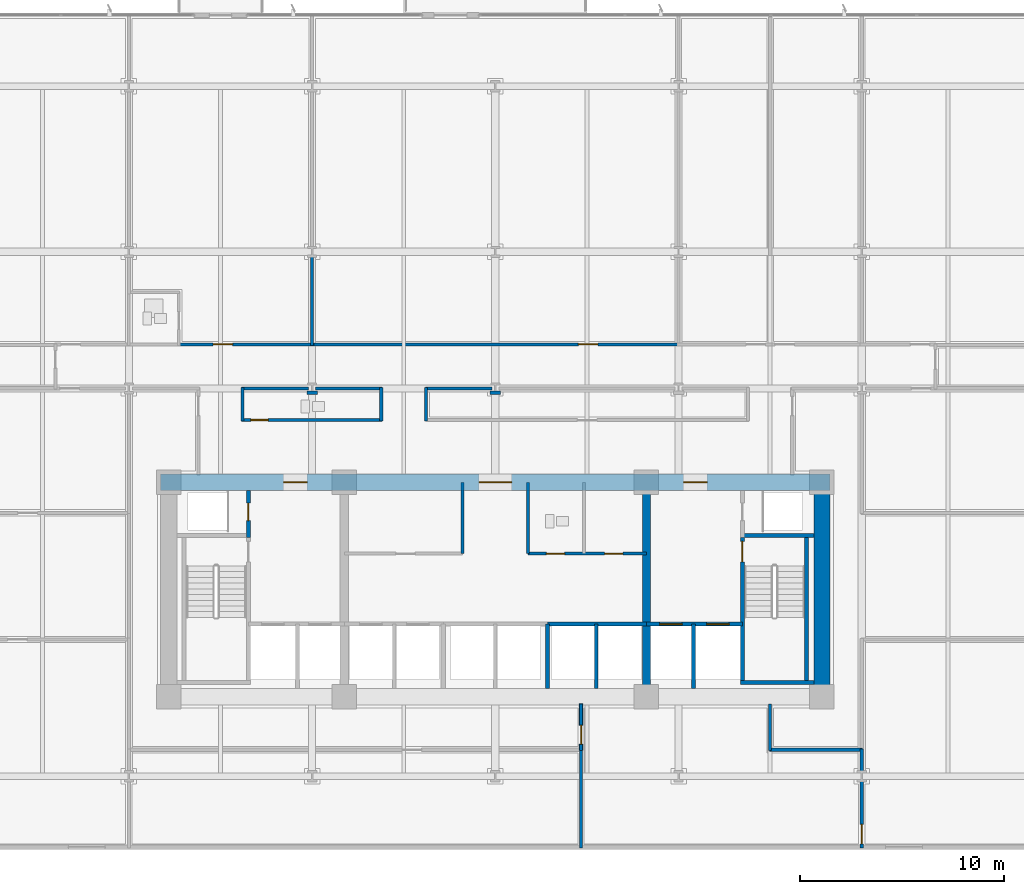
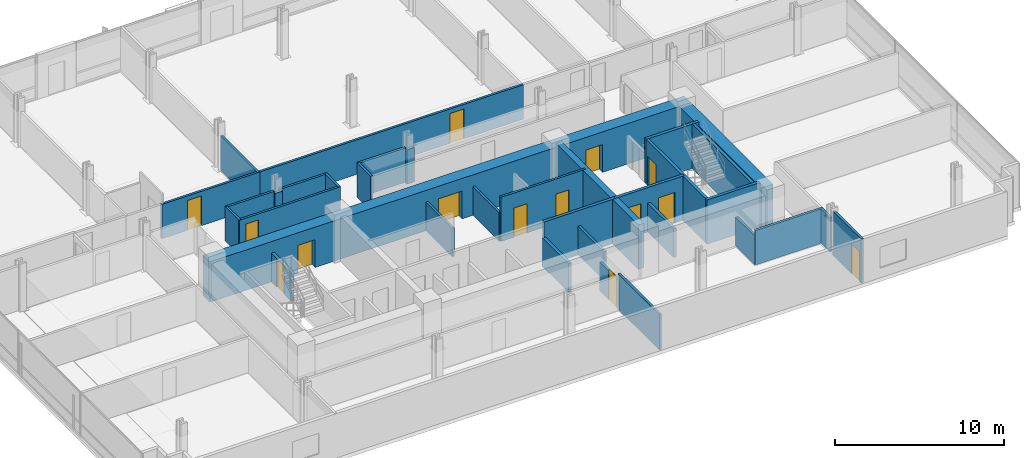
# One storey, part 14 of 21: 34 walls, 14 doors, 14 openings.
"""IFC4 building model written with IfcOpenShell, lengths in metres."""

from ifc_helpers import new_model, si_unit, direction, frame, frame_2d, origin, place, context, subcontext, project, spatial, rectangle, extrude, material, layer, layer_set, type_object, element, fill, save


model = new_model("IFC4")

# Units and contexts
model_context = context("Model", 3, precision=1e-05, world=origin(), true_north=direction((0.0, 1.0)))
body_context = subcontext(model_context, "Body", "Model", "MODEL_VIEW")
ifc_project = project(units=[si_unit("LENGTHUNIT", "METRE"), si_unit("AREAUNIT", "SQUARE_METRE"), si_unit("VOLUMEUNIT", "CUBIC_METRE"), si_unit("PLANEANGLEUNIT", "RADIAN"), si_unit("MASSUNIT", "GRAM", prefix="KILO")], contexts=[model_context])

# Site, building, storey
site_placement = place(None, origin())
site = spatial("IfcSite", under=ifc_project, at=site_placement, CompositionType="ELEMENT")
building_placement = place(site_placement, origin())
building = spatial("IfcBuilding", under=site, at=building_placement, Name="Solmavex Isthmus Hotel", CompositionType="ELEMENT")
storey_placement = place(building_placement, frame((0.0, 0.0, 54.0)))
storey = spatial("IfcBuildingStorey", under=building, at=storey_placement, Name="L14", CompositionType="ELEMENT", Elevation=54.0)

# Wall
ifc_material_1 = material(Name="Gypsum plasterboard lining", Category="gypsum")
ifc_layer_1 = layer(ifc_material_1, 0.159912109375)
ifc_layer_set_1 = layer_set([ifc_layer_1], Name="Gypsum plasterboard lining")
wall_type_1 = type_object("IfcWallType", Name="IW-COMP-160", PredefinedType="PARTITIONING", material=ifc_layer_set_1)
wall_1_placement = place(storey_placement, frame((-8.97607421875, 8.613037109375, 0.0), z_axis=(0.0, 0.0, 1.0), x_axis=(0.0, -1.0, 0.0)))
element("IfcWall", 1, at=wall_1_placement, inside=storey, type_object=wall_type_1, Name="Interior Partition Wall W-L14-P037", PredefinedType="PARTITIONING", context=body_context, shape_type="SweptSolid", body=[
    extrude(rectangle(XDim=4.403076171875, YDim=0.159912109375, at=frame_2d((2.20166015625, 0.0))), origin(), (0.0, 0.0, 1.0), 2.4794921875),
])

# Wall, opening, door
wall_2_placement = place(storey_placement, frame((4.199951171875, -13.360107421875, 0.0), z_axis=(0.0, 0.0, 1.0), x_axis=(0.0, -1.0, 0.0)))
wall_2 = element("IfcWall", 2, at=wall_2_placement, inside=storey, type_object=wall_type_1, Name="Interior Partition Wall W-L14-P058", PredefinedType="PARTITIONING", context=body_context, shape_type="SweptSolid", body=[
    extrude(rectangle(XDim=2.27978515625, YDim=0.159912109375, at=frame_2d((1.139892578125, 0.0))), origin(), (0.0, 0.0, 1.0), 2.074951171875),
])
opening_1_placement = place(wall_2_placement, frame((1.03466796875, 0.0, 0.0)))
opening_1 = element("IfcOpeningElement", 3, at=opening_1_placement, cuts=wall_2, Name="Opening ID-C095", PredefinedType="OPENING", context=body_context, shape_type="SweptSolid", body=[
    extrude(rectangle(XDim=0.949951171875, YDim=2.14990234375, at=frame_2d((0.47509765625, 1.074951171875))), frame((0.0, 0.08984375, 0.0), z_axis=(0.0, -1.0, 0.0), x_axis=(1.0, 0.0, 0.0)), (0.0, 0.0, 1.0), 0.179931640625),
])
ifc_material_2 = material(Name="Hardwood timber", Category="wood")
door_type_1 = type_object("IfcDoorType", Name="IDR-FD60-0950", OperationType="NOTDEFINED", PredefinedType="DOOR", material=ifc_material_2)
door_1_placement = place(opening_1_placement, frame((0.949951171875, 0.0, 0.0), z_axis=(0.0, 0.0, 1.0), x_axis=(-1.0, 0.0, 0.0)))
door_1 = element("IfcDoor", 4, at=door_1_placement, inside=storey, type_object=door_type_1, Name="Corporate Briefing Office Door L14-16", OperationType="SINGLE_SWING_RIGHT", OverallHeight=2.14990234375, OverallWidth=0.949951171875, PredefinedType="DOOR", context=body_context, shape_type="SweptSolid", body=[
    extrude(rectangle(XDim=0.949951171875, YDim=2.14990234375, at=frame_2d((0.47509765625, 1.074951171875))), frame((0.0, 0.02490234375, 0.0), z_axis=(0.0, -1.0, 0.0), x_axis=(1.0, 0.0, 0.0)), (0.0, 0.0, 1.0), 0.050048828125),
])
fill(opening_1, door_1)

# Walls
wall_3_placement = place(storey_placement, frame((4.199951171875, -20.419921875, 0.0), z_axis=(0.0, 0.0, 1.0), x_axis=(0.0, 1.0, 0.0)))
element("IfcWall", 5, at=wall_3_placement, inside=storey, type_object=wall_type_1, Name="Interior Partition Wall W-L14-P061", PredefinedType="PARTITIONING", context=body_context, shape_type="SweptSolid", body=[
    extrude(rectangle(XDim=4.90185546875, YDim=0.159912109375, at=frame_2d((2.450927734375, 0.0))), origin(), (0.0, 0.0, 1.0), 2.55322265625),
])
wall_4_placement = place(storey_placement, frame((13.4599609375, -13.360107421875, 0.0), z_axis=(0.0, 0.0, 1.0), x_axis=(0.0, -1.0, 0.0)))
element("IfcWall", 6, at=wall_4_placement, inside=storey, type_object=wall_type_1, Name="Interior Partition Wall W-L14-P062", PredefinedType="PARTITIONING", context=body_context, shape_type="SweptSolid", body=[
    extrude(rectangle(XDim=2.27978515625, YDim=0.159912109375, at=frame_2d((1.139892578125, 0.0))), origin(), (0.0, 0.0, 1.0), 2.074951171875),
])
wall_5_placement = place(storey_placement, frame((13.419921875, -15.60009765625, 0.0), z_axis=(0.0, 0.0, 1.0), x_axis=(1.0, 0.0, 0.0)))
element("IfcWall", 7, at=wall_5_placement, inside=storey, type_object=wall_type_1, Name="Interior Partition Wall W-L14-P063", PredefinedType="PARTITIONING", context=body_context, shape_type="SweptSolid", body=[
    extrude(rectangle(XDim=4.572021484375, YDim=0.159912109375, at=frame_2d((2.2861328125, 0.0))), origin(), (0.0, 0.0, 1.0), 2.4794921875),
])

# Wall, opening, door
wall_6_placement = place(storey_placement, frame((17.951904296875, -17.074951171875, 0.0), z_axis=(0.0, 0.0, 1.0), x_axis=(0.0, -1.0, 0.0)))
wall_6 = element("IfcWall", 8, at=wall_6_placement, inside=storey, type_object=wall_type_1, Name="Interior Partition Wall W-L14-P064", PredefinedType="PARTITIONING", context=body_context, shape_type="SweptSolid", body=[
    extrude(rectangle(XDim=3.344970703125, YDim=0.159912109375, at=frame_2d((1.67236328125, 0.0))), origin(), (0.0, 0.0, 1.0), 3.18994140625),
])
opening_2_placement = place(wall_6_placement, frame((2.18505859375, 0.0, 0.0)))
opening_2 = element("IfcOpeningElement", 9, at=opening_2_placement, cuts=wall_6, Name="Opening ID-C095", PredefinedType="OPENING", context=body_context, shape_type="SweptSolid", body=[
    extrude(rectangle(XDim=0.949951171875, YDim=2.14990234375, at=frame_2d((0.47509765625, 1.074951171875))), frame((0.0, 0.08984375, 0.0), z_axis=(0.0, -1.0, 0.0), x_axis=(1.0, 0.0, 0.0)), (0.0, 0.0, 1.0), 0.179931640625),
])
door_2_placement = place(opening_2_placement, origin())
door_2 = element("IfcDoor", 10, at=door_2_placement, inside=storey, type_object=door_type_1, Name="Corporate Briefing Office Door L14-20", OperationType="SINGLE_SWING_RIGHT", OverallHeight=2.14990234375, OverallWidth=0.949951171875, PredefinedType="DOOR", context=body_context, shape_type="SweptSolid", body=[
    extrude(rectangle(XDim=0.949951171875, YDim=2.14990234375, at=frame_2d((0.47509765625, 1.074951171875))), frame((0.0, 0.02490234375, 0.0), z_axis=(0.0, -1.0, 0.0), x_axis=(1.0, 0.0, 0.0)), (0.0, 0.0, 1.0), 0.050048828125),
])
fill(opening_2, door_2)

# Walls
wall_7_placement = place(storey_placement, frame((17.951904296875, -15.56005859375, 0.0), z_axis=(0.0, 0.0, 1.0), x_axis=(0.0, -1.0, 0.0)))
element("IfcWall", 11, at=wall_7_placement, inside=storey, type_object=wall_type_1, Name="Interior Partition Wall W-L14-P065", PredefinedType="PARTITIONING", context=body_context, shape_type="SweptSolid", body=[
    extrude(rectangle(XDim=1.1650390625, YDim=0.159912109375, at=frame_2d((0.58251953125, 0.0))), origin(), (0.0, 0.0, 1.0), 2.4794921875),
])
ifc_layer_2 = layer(ifc_material_1, 0.14990234375)
ifc_layer_set_2 = layer_set([ifc_layer_2], Name="Gypsum plasterboard lining")
wall_type_2 = type_object("IfcWallType", Name="IW-CORR-150", PredefinedType="PARTITIONING", material=ifc_layer_set_2)
wall_8_placement = place(storey_placement, frame((-1.60009765625, -6.0, 0.0), z_axis=(0.0, 0.0, 1.0), x_axis=(0.0, 1.0, 0.0)))
element("IfcWall", 12, at=wall_8_placement, inside=storey, type_object=wall_type_2, Name="Interior Partition Wall W-L14-BOH-WE", PredefinedType="PARTITIONING", context=body_context, shape_type="SweptSolid", body=[
    extrude(rectangle(XDim=3.5, YDim=0.14990234375, at=frame_2d((1.75, 0.0))), origin(), (0.0, 0.0, 1.0), 2.074951171875),
])

# Wall, openings, doors
wall_9_placement = place(storey_placement, frame((1.60009765625, -6.0, 0.0), z_axis=(0.0, 0.0, 1.0), x_axis=(1.0, 0.0, 0.0)))
wall_9 = element("IfcWall", 13, at=wall_9_placement, inside=storey, type_object=wall_type_2, Name="Interior Partition Wall W-L14-BOH-ES", PredefinedType="PARTITIONING", context=body_context, shape_type="SweptSolid", body=[
    extrude(rectangle(XDim=5.7998046875, YDim=0.14990234375, at=frame_2d((2.89990234375, 0.0))), origin(), (0.0, 0.0, 1.0), 3.18994140625),
])
opening_3_placement = place(wall_9_placement, frame((0.89990234375, 0.0, 0.0)))
opening_3 = element("IfcOpeningElement", 14, at=opening_3_placement, cuts=wall_9, Name="Opening ID-C090", PredefinedType="OPENING", context=body_context, shape_type="SweptSolid", body=[
    extrude(rectangle(XDim=0.89990234375, YDim=2.10009765625, at=frame_2d((0.449951171875, 1.050048828125))), frame((0.0, 0.0849609375, 0.0), z_axis=(0.0, -1.0, 0.0), x_axis=(1.0, 0.0, 0.0)), (0.0, 0.0, 1.0), 0.169921875),
])
opening_4_placement = place(wall_9_placement, frame((3.75, 0.0, 0.0)))
opening_4 = element("IfcOpeningElement", 15, at=opening_4_placement, cuts=wall_9, Name="Opening ID-C090", PredefinedType="OPENING", context=body_context, shape_type="SweptSolid", body=[
    extrude(rectangle(XDim=0.89990234375, YDim=2.10009765625, at=frame_2d((0.449951171875, 1.050048828125))), frame((0.0, 0.0849609375, 0.0), z_axis=(0.0, -1.0, 0.0), x_axis=(1.0, 0.0, 0.0)), (0.0, 0.0, 1.0), 0.169921875),
])
door_type_2 = type_object("IfcDoorType", Name="IDR-FD60-0900", OperationType="NOTDEFINED", PredefinedType="DOOR", material=ifc_material_2)
door_3_placement = place(opening_3_placement, frame((0.89990234375, 0.0, 0.0), z_axis=(0.0, 0.0, 1.0), x_axis=(-1.0, 0.0, 0.0)))
door_3 = element("IfcDoor", 16, at=door_3_placement, inside=storey, type_object=door_type_2, Name="Staff WC Door L14", OperationType="SINGLE_SWING_RIGHT", OverallHeight=2.10009765625, OverallWidth=0.89990234375, PredefinedType="DOOR", context=body_context, shape_type="SweptSolid", body=[
    extrude(rectangle(XDim=0.89990234375, YDim=2.10009765625, at=frame_2d((0.449951171875, 1.050048828125))), frame((0.0, 0.02490234375, 0.0), z_axis=(0.0, -1.0, 0.0), x_axis=(1.0, 0.0, 0.0)), (0.0, 0.0, 1.0), 0.050048828125),
])
fill(opening_3, door_3)
door_4_placement = place(opening_4_placement, frame((0.89990234375, 0.0, 0.0), z_axis=(0.0, 0.0, 1.0), x_axis=(-1.0, 0.0, 0.0)))
door_4 = element("IfcDoor", 17, at=door_4_placement, inside=storey, type_object=door_type_2, Name="Pantry Door L14", OperationType="SINGLE_SWING_LEFT", OverallHeight=2.10009765625, OverallWidth=0.89990234375, PredefinedType="DOOR", context=body_context, shape_type="SweptSolid", body=[
    extrude(rectangle(XDim=0.89990234375, YDim=2.10009765625, at=frame_2d((0.449951171875, 1.050048828125))), frame((0.0, 0.02490234375, 0.0), z_axis=(0.0, -1.0, 0.0), x_axis=(1.0, 0.0, 0.0)), (0.0, 0.0, 1.0), 0.050048828125),
])
fill(opening_4, door_4)

# Wall
wall_10_placement = place(storey_placement, frame((1.60009765625, -6.0, 0.0), z_axis=(0.0, 0.0, 1.0), x_axis=(0.0, 1.0, 0.0)))
element("IfcWall", 18, at=wall_10_placement, inside=storey, type_object=wall_type_2, Name="Interior Partition Wall W-L14-BOH-EW", PredefinedType="PARTITIONING", context=body_context, shape_type="SweptSolid", body=[
    extrude(rectangle(XDim=3.5, YDim=0.14990234375, at=frame_2d((1.75, 0.0))), origin(), (0.0, 0.0, 1.0), 2.074951171875),
])

# Wall, opening, door
wall_11_placement = place(storey_placement, frame((-15.583984375, 4.25, 0.0), z_axis=(0.0, 0.0, 1.0), x_axis=(1.0, 0.0, 0.0)))
wall_11 = element("IfcWall", 19, at=wall_11_placement, inside=storey, type_object=wall_type_2, Name="Interior Partition Wall W-L14-P002", PredefinedType="PARTITIONING", context=body_context, shape_type="SweptSolid", body=[
    extrude(rectangle(XDim=6.68994140625, YDim=0.14990234375, at=frame_2d((3.344970703125, 0.0))), origin(), (0.0, 0.0, 1.0), 2.4794921875),
])
opening_5_placement = place(wall_11_placement, frame((1.759521484375, 0.0, 0.0)))
opening_5 = element("IfcOpeningElement", 20, at=opening_5_placement, cuts=wall_11, Name="Opening ID-C095", PredefinedType="OPENING", context=body_context, shape_type="SweptSolid", body=[
    extrude(rectangle(XDim=0.949951171875, YDim=2.14990234375, at=frame_2d((0.47509765625, 1.074951171875))), frame((0.0, 0.0849609375, 0.0), z_axis=(0.0, -1.0, 0.0), x_axis=(1.0, 0.0, 0.0)), (0.0, 0.0, 1.0), 0.169921875),
])
door_5_placement = place(opening_5_placement, origin())
door_5 = element("IfcDoor", 21, at=door_5_placement, inside=storey, type_object=door_type_1, Name="Premier Suite Door L14-02", OperationType="SINGLE_SWING_RIGHT", OverallHeight=2.14990234375, OverallWidth=0.949951171875, PredefinedType="DOOR", context=body_context, shape_type="SweptSolid", body=[
    extrude(rectangle(XDim=0.949951171875, YDim=2.14990234375, at=frame_2d((0.47509765625, 1.074951171875))), frame((0.0, 0.02490234375, 0.0), z_axis=(0.0, -1.0, 0.0), x_axis=(1.0, 0.0, 0.0)), (0.0, 0.0, 1.0), 0.050048828125),
])
fill(opening_5, door_5)

wall_12_placement = place(storey_placement, frame((-9.05810546875, 4.25, 0.0), z_axis=(0.0, 0.0, 1.0), x_axis=(1.0, 0.0, 0.0)))
wall_12 = element("IfcWall", 22, at=wall_12_placement, inside=storey, type_object=wall_type_2, Name="Interior Partition Wall W-L14-P004", PredefinedType="PARTITIONING", context=body_context, shape_type="SweptSolid", body=[
    extrude(rectangle(XDim=18.1162109375, YDim=0.14990234375, at=frame_2d((9.05810546875, 0.0))), origin(), (0.0, 0.0, 1.0), 2.4794921875),
])
opening_6_placement = place(wall_12_placement, frame((13.128173828125, 0.0, 0.0)))
opening_6 = element("IfcOpeningElement", 23, at=opening_6_placement, cuts=wall_12, Name="Opening ID-C095", PredefinedType="OPENING", context=body_context, shape_type="SweptSolid", body=[
    extrude(rectangle(XDim=0.949951171875, YDim=2.14990234375, at=frame_2d((0.47509765625, 1.074951171875))), frame((0.0, 0.0849609375, 0.0), z_axis=(0.0, -1.0, 0.0), x_axis=(1.0, 0.0, 0.0)), (0.0, 0.0, 1.0), 0.169921875),
])
door_6_placement = place(opening_6_placement, origin())
door_6 = element("IfcDoor", 24, at=door_6_placement, inside=storey, type_object=door_type_1, Name="Corporate Briefing Office Door L14-04", OperationType="SINGLE_SWING_RIGHT", OverallHeight=2.14990234375, OverallWidth=0.949951171875, PredefinedType="DOOR", context=body_context, shape_type="SweptSolid", body=[
    extrude(rectangle(XDim=0.949951171875, YDim=2.14990234375, at=frame_2d((0.47509765625, 1.074951171875))), frame((0.0, 0.02490234375, 0.0), z_axis=(0.0, -1.0, 0.0), x_axis=(1.0, 0.0, 0.0)), (0.0, 0.0, 1.0), 0.050048828125),
])
fill(opening_6, door_6)

# Walls
wall_13_placement = place(storey_placement, frame((-5.548095703125, 2.10009765625, 0.0), z_axis=(0.0, 0.0, 1.0), x_axis=(-1.0, 0.0, 0.0)))
element("IfcWall", 25, at=wall_13_placement, inside=storey, type_object=wall_type_2, Name="Interior Partition Wall W-L14-P008", PredefinedType="PARTITIONING", context=body_context, shape_type="SweptSolid", body=[
    extrude(rectangle(XDim=3.2529296875, YDim=0.14990234375, at=frame_2d((1.62646484375, 0.0))), origin(), (0.0, 0.0, 1.0), 2.4794921875),
])
wall_14_placement = place(storey_placement, frame((-8.720947265625, 1.885009765625, 0.0), z_axis=(0.0, 0.0, 1.0), x_axis=(-1.0, 0.0, 0.0)))
element("IfcWall", 26, at=wall_14_placement, inside=storey, type_object=wall_type_2, Name="Interior Partition Wall W-L14-P009", PredefinedType="PARTITIONING", context=body_context, shape_type="SweptSolid", body=[
    extrude(rectangle(XDim=0.510009765625, YDim=0.14990234375, at=frame_2d((0.2548828125, 0.0))), origin(), (0.0, 0.0, 1.0), 2.4794921875),
])
wall_15_placement = place(storey_placement, frame((-9.15087890625, 2.10009765625, 0.0), z_axis=(0.0, 0.0, 1.0), x_axis=(-1.0, 0.0, 0.0)))
element("IfcWall", 27, at=wall_15_placement, inside=storey, type_object=wall_type_2, Name="Interior Partition Wall W-L14-P010", PredefinedType="PARTITIONING", context=body_context, shape_type="SweptSolid", body=[
    extrude(rectangle(XDim=3.273193359375, YDim=0.14990234375, at=frame_2d((1.63671875, 0.0))), origin(), (0.0, 0.0, 1.0), 2.4794921875),
])
wall_16_placement = place(storey_placement, frame((-12.384033203125, 2.139892578125, 0.0), z_axis=(0.0, 0.0, 1.0), x_axis=(0.0, -1.0, 0.0)))
element("IfcWall", 28, at=wall_16_placement, inside=storey, type_object=wall_type_2, Name="Interior Partition Wall W-L14-P011", PredefinedType="PARTITIONING", context=body_context, shape_type="SweptSolid", body=[
    extrude(rectangle(XDim=1.6298828125, YDim=0.14990234375, at=frame_2d((0.81494140625, 0.0))), origin(), (0.0, 0.0, 1.0), 2.4794921875),
])

# Wall, opening, door
wall_17_placement = place(storey_placement, frame((-12.424072265625, 0.550048828125, 0.0), z_axis=(0.0, 0.0, 1.0), x_axis=(1.0, 0.0, 0.0)))
wall_17 = element("IfcWall", 29, at=wall_17_placement, inside=storey, type_object=wall_type_2, Name="Interior Partition Wall W-L14-P012", PredefinedType="PARTITIONING", context=body_context, shape_type="SweptSolid", body=[
    extrude(rectangle(XDim=6.8759765625, YDim=0.14990234375, at=frame_2d((3.43798828125, 0.0))), origin(), (0.0, 0.0, 1.0), 2.4794921875),
])
opening_7_placement = place(wall_17_placement, frame((0.444091796875, 0.0, 0.0)))
opening_7 = element("IfcOpeningElement", 30, at=opening_7_placement, cuts=wall_17, Name="Opening ID-R085", PredefinedType="OPENING", context=body_context, shape_type="SweptSolid", body=[
    extrude(rectangle(XDim=0.85009765625, YDim=2.050048828125, at=frame_2d((0.425048828125, 1.02490234375))), frame((0.0, 0.0849609375, 0.0), z_axis=(0.0, -1.0, 0.0), x_axis=(1.0, 0.0, 0.0)), (0.0, 0.0, 1.0), 0.169921875),
])
ifc_material_3 = material(Name="Steel ASTM A500 Grade C", Category="steel")
door_type_3 = type_object("IfcDoorType", Name="IDR-FD60-0850", OperationType="NOTDEFINED", PredefinedType="DOOR", material=ifc_material_3)
door_7_placement = place(opening_7_placement, frame((0.85009765625, 0.0, 0.0), z_axis=(0.0, 0.0, 1.0), x_axis=(-1.0, 0.0, 0.0)))
door_7 = element("IfcDoor", 31, at=door_7_placement, inside=storey, type_object=door_type_3, Name="Accessible Public Restroom WC Door L14-08", OperationType="SINGLE_SWING_RIGHT", OverallHeight=2.050048828125, OverallWidth=0.85009765625, PredefinedType="DOOR", context=body_context, shape_type="SweptSolid", body=[
    extrude(rectangle(XDim=0.85009765625, YDim=2.050048828125, at=frame_2d((0.425048828125, 1.02490234375))), frame((0.0, 0.02490234375, 0.0), z_axis=(0.0, -1.0, 0.0), x_axis=(1.0, 0.0, 0.0)), (0.0, 0.0, 1.0), 0.050048828125),
])
fill(opening_7, door_7)

# Walls
wall_18_placement = place(storey_placement, frame((-5.587890625, 0.510009765625, 0.0), z_axis=(0.0, 0.0, 1.0), x_axis=(0.0, 1.0, 0.0)))
element("IfcWall", 32, at=wall_18_placement, inside=storey, type_object=wall_type_2, Name="Interior Partition Wall W-L14-P013", PredefinedType="PARTITIONING", context=body_context, shape_type="SweptSolid", body=[
    extrude(rectangle(XDim=1.6298828125, YDim=0.14990234375, at=frame_2d((0.81494140625, 0.0))), origin(), (0.0, 0.0, 1.0), 2.4794921875),
])
wall_19_placement = place(storey_placement, frame((0.2548828125, 1.885009765625, 0.0), z_axis=(0.0, 0.0, 1.0), x_axis=(-1.0, 0.0, 0.0)))
element("IfcWall", 33, at=wall_19_placement, inside=storey, type_object=wall_type_2, Name="Interior Partition Wall W-L14-P016", PredefinedType="PARTITIONING", context=body_context, shape_type="SweptSolid", body=[
    extrude(rectangle(XDim=0.509765625, YDim=0.14990234375, at=frame_2d((0.2548828125, 0.0))), origin(), (0.0, 0.0, 1.0), 2.4794921875),
])
wall_20_placement = place(storey_placement, frame((-0.175048828125, 2.10009765625, 0.0), z_axis=(0.0, 0.0, 1.0), x_axis=(-1.0, 0.0, 0.0)))
element("IfcWall", 34, at=wall_20_placement, inside=storey, type_object=wall_type_2, Name="Interior Partition Wall W-L14-P017", PredefinedType="PARTITIONING", context=body_context, shape_type="SweptSolid", body=[
    extrude(rectangle(XDim=3.2529296875, YDim=0.14990234375, at=frame_2d((1.62646484375, 0.0))), origin(), (0.0, 0.0, 1.0), 2.4794921875),
])
wall_21_placement = place(storey_placement, frame((-3.387939453125, 2.139892578125, 0.0), z_axis=(0.0, 0.0, 1.0), x_axis=(0.0, -1.0, 0.0)))
element("IfcWall", 35, at=wall_21_placement, inside=storey, type_object=wall_type_2, Name="Interior Partition Wall W-L14-P018", PredefinedType="PARTITIONING", context=body_context, shape_type="SweptSolid", body=[
    extrude(rectangle(XDim=1.6298828125, YDim=0.14990234375, at=frame_2d((0.81494140625, 0.0))), origin(), (0.0, 0.0, 1.0), 2.4794921875),
])
ifc_material_4 = material(Name="Concrete C40/50", Category="concrete")
ifc_layer_3 = layer(ifc_material_4, 0.179931640625)
ifc_layer_set_3 = layer_set([ifc_layer_3], Name="Concrete C40/50")
wall_type_3 = type_object("IfcWallType", Name="IW-SHAFT-180", PredefinedType="PARTITIONING", material=ifc_layer_set_3)
wall_22_placement = place(storey_placement, frame((4.949951171875, -12.60009765625, 0.0), z_axis=(0.0, 0.0, 1.0), x_axis=(0.0, 1.0, 0.0)))
element("IfcWall", 36, at=wall_22_placement, inside=storey, type_object=wall_type_3, Name="Interior Partition Wall W-L14-SH-PLH-M", PredefinedType="PARTITIONING", context=body_context, shape_type="SweptSolid", body=[
    extrude(rectangle(XDim=3.150146484375, YDim=0.179931640625, at=frame_2d((1.5751953125, 0.0))), origin(), (0.0, 0.0, 1.0), 2.074951171875),
])

# Wall, opening, door
ifc_layer_4 = layer(ifc_material_4, 0.199951171875)
ifc_layer_set_4 = layer_set([ifc_layer_4], Name="Concrete C40/50")
wall_type_4 = type_object("IfcWallType", Name="IW-SHAFT-200", PredefinedType="PARTITIONING", material=ifc_layer_set_4)
wall_23_placement = place(storey_placement, frame((-12.10009765625, -5.199951171875, 0.0), z_axis=(0.0, 0.0, 1.0), x_axis=(0.0, 1.0, 0.0)))
wall_23 = element("IfcWall", 37, at=wall_23_placement, inside=storey, type_object=wall_type_4, Name="Interior Partition Wall W-L14-RSW-E", PredefinedType="PARTITIONING", context=body_context, shape_type="SweptSolid", body=[
    extrude(rectangle(XDim=2.300048828125, YDim=0.199951171875, at=frame_2d((1.14990234375, 0.0))), origin(), (0.0, 0.0, 1.0), 2.074951171875),
])
opening_8_placement = place(wall_23_placement, frame((0.824951171875, 0.0, 0.0)))
opening_8 = element("IfcOpeningElement", 38, at=opening_8_placement, cuts=wall_23, Name="Opening ID-R085", PredefinedType="OPENING", context=body_context, shape_type="SweptSolid", body=[
    extrude(rectangle(XDim=0.85009765625, YDim=2.050048828125, at=frame_2d((0.425048828125, 1.02490234375))), frame((0.0, 0.10986328125, 0.0), z_axis=(0.0, -1.0, 0.0), x_axis=(1.0, 0.0, 0.0)), (0.0, 0.0, 1.0), 0.219970703125),
])
door_8_placement = place(opening_8_placement, origin())
door_8 = element("IfcDoor", 39, at=door_8_placement, inside=storey, type_object=door_type_3, Name="Electrical Riser Door L14", OperationType="SINGLE_SWING_RIGHT", OverallHeight=2.050048828125, OverallWidth=0.85009765625, PredefinedType="DOOR", context=body_context, shape_type="SweptSolid", body=[
    extrude(rectangle(XDim=0.85009765625, YDim=2.050048828125, at=frame_2d((0.425048828125, 1.02490234375))), frame((0.0, 0.02490234375, 0.0), z_axis=(0.0, -1.0, 0.0), x_axis=(1.0, 0.0, 0.0)), (0.0, 0.0, 1.0), 0.050048828125),
])
fill(opening_8, door_8)

# Wall, openings, doors
wall_24_placement = place(storey_placement, frame((7.39990234375, -9.449951171875, 0.0), z_axis=(0.0, 0.0, 1.0), x_axis=(1.0, 0.0, 0.0)))
wall_24 = element("IfcWall", 40, at=wall_24_placement, inside=storey, type_object=wall_type_4, Name="Interior Partition Wall W-L14-FFLE-S", PredefinedType="PARTITIONING", context=body_context, shape_type="SweptSolid", body=[
    extrude(rectangle(XDim=4.7001953125, YDim=0.199951171875, at=frame_2d((2.35009765625, 0.0))), origin(), (0.0, 0.0, 1.0), 3.18994140625),
])
opening_9_placement = place(wall_24_placement, frame((2.949951171875, 0.0, 0.0)))
opening_9 = element("IfcOpeningElement", 41, at=opening_9_placement, cuts=wall_24, Name="Opening LD-FF", PredefinedType="OPENING", context=body_context, shape_type="SweptSolid", body=[
    extrude(rectangle(XDim=1.10009765625, YDim=2.199951171875, at=frame_2d((0.550048828125, 1.10009765625))), frame((0.0, 0.10986328125, 0.0), z_axis=(0.0, -1.0, 0.0), x_axis=(1.0, 0.0, 0.0)), (0.0, 0.0, 1.0), 0.219970703125),
])
opening_10_placement = place(wall_24_placement, frame((0.64990234375, 0.0, 0.0)))
opening_10 = element("IfcOpeningElement", 42, at=opening_10_placement, cuts=wall_24, Name="Opening LD-SV", PredefinedType="OPENING", context=body_context, shape_type="SweptSolid", body=[
    extrude(rectangle(XDim=1.10009765625, YDim=2.199951171875, at=frame_2d((0.550048828125, 1.10009765625))), frame((0.0, 0.10986328125, 0.0), z_axis=(0.0, -1.0, 0.0), x_axis=(1.0, 0.0, 0.0)), (0.0, 0.0, 1.0), 0.219970703125),
])
ifc_material_5 = material(Name="Stainless steel 316", Category="steel")
door_type_4 = type_object("IfcDoorType", Name="LDR-FF-1100", OperationType="NOTDEFINED", PredefinedType="DOOR", material=ifc_material_5)
door_9_placement = place(opening_9_placement, origin())
door_9 = element("IfcDoor", 43, at=door_9_placement, inside=storey, type_object=door_type_4, Name="Lift Landing Door FFL-2 L14", OperationType="SLIDING_TO_LEFT", OverallHeight=2.199951171875, OverallWidth=1.10009765625, PredefinedType="DOOR", context=body_context, shape_type="SweptSolid", body=[
    extrude(rectangle(XDim=1.10009765625, YDim=2.199951171875, at=frame_2d((0.550048828125, 1.10009765625))), frame((0.0, 0.02490234375, 0.0), z_axis=(0.0, -1.0, 0.0), x_axis=(1.0, 0.0, 0.0)), (0.0, 0.0, 1.0), 0.050048828125),
])
fill(opening_9, door_9)
door_type_5 = type_object("IfcDoorType", Name="LDR-SV-1100", OperationType="NOTDEFINED", PredefinedType="DOOR", material=ifc_material_5)
door_10_placement = place(opening_10_placement, origin())
door_10 = element("IfcDoor", 44, at=door_10_placement, inside=storey, type_object=door_type_5, Name="Lift Landing Door SVL-2 L14", OperationType="SLIDING_TO_RIGHT", OverallHeight=2.199951171875, OverallWidth=1.10009765625, PredefinedType="DOOR", context=body_context, shape_type="SweptSolid", body=[
    extrude(rectangle(XDim=1.10009765625, YDim=2.199951171875, at=frame_2d((0.550048828125, 1.10009765625))), frame((0.0, 0.02490234375, 0.0), z_axis=(0.0, -1.0, 0.0), x_axis=(1.0, 0.0, 0.0)), (0.0, 0.0, 1.0), 0.050048828125),
])
fill(opening_10, door_10)

# Walls
for number, where, z_axis, x_axis, name in (
    (45, (9.699951171875, -12.60009765625, 0.0), (0.0, 0.0, 1.0), (0.0, 1.0, 0.0), "Interior Partition Wall W-L14-FFLE-M"),
    (46, (2.550048828125, -12.60009765625, 0.0), (0.0, 0.0, 1.0), (0.0, 1.0, 0.0), "Interior Partition Wall W-L14-SH-PLM-E"),
):
    element("IfcWall", number, at=place(storey_placement, frame(where, z_axis=z_axis, x_axis=x_axis)), inside=storey, type_object=wall_type_4, Name=name, PredefinedType="PARTITIONING", context=body_context, shape_type="SweptSolid", body=[
        extrude(rectangle(XDim=3.150146484375, YDim=0.199951171875, at=frame_2d((1.5751953125, 0.0))), origin(), (0.0, 0.0, 1.0), 2.074951171875),
    ])
wall_25_placement = place(storey_placement, frame((2.550048828125, -9.449951171875, 0.0), z_axis=(0.0, 0.0, 1.0), x_axis=(1.0, 0.0, 0.0)))
element("IfcWall", 47, at=wall_25_placement, inside=storey, type_object=wall_type_4, Name="Interior Partition Wall W-L14-SH-PLH", PredefinedType="PARTITIONING", context=body_context, shape_type="SweptSolid", body=[
    extrude(rectangle(XDim=4.849853515625, YDim=0.199951171875, at=frame_2d((2.4248046875, 0.0))), origin(), (0.0, 0.0, 1.0), 3.18994140625),
])
ifc_material_6 = material(Name="Concrete C70/85", Category="concrete")
ifc_layer_5 = layer(ifc_material_6, 0.39990234375)
ifc_layer_set_5 = layer_set([ifc_layer_5], Name="Concrete C70/85")
wall_type_5 = type_object("IfcWallType", Name="WALL-CW-400L", PredefinedType="SHEAR", material=ifc_layer_set_5)
wall_26_placement = place(storey_placement, frame((7.39990234375, -12.60009765625, 0.0), z_axis=(0.0, 0.0, 1.0), x_axis=(0.0, 1.0, 0.0)))
element("IfcWall", 48, at=wall_26_placement, inside=storey, type_object=wall_type_5, Name="Core Cross Shear Wall C2 L14", PredefinedType="SHEAR", context=body_context, shape_type="SweptSolid", body=[
    extrude(rectangle(XDim=9.7001953125, YDim=0.39990234375, at=frame_2d((4.85009765625, 0.0))), origin(), (0.0, 0.0, 1.0), 3.18994140625),
])

# Wall, openings, doors
ifc_layer_6 = layer(ifc_material_6, 0.800048828125)
ifc_layer_set_6 = layer_set([ifc_layer_6], Name="Concrete C70/85")
wall_type_6 = type_object("IfcWallType", Name="WALL-CW-800", PredefinedType="SHEAR", material=ifc_layer_set_6)
wall_27_placement = place(storey_placement, frame((-16.39990234375, -2.5, 0.0), z_axis=(0.0, 0.0, 1.0), x_axis=(1.0, 0.0, 0.0)))
wall_27 = element("IfcWall", 49, at=wall_27_placement, inside=storey, type_object=wall_type_6, Name="Core Shear Wall North L14", PredefinedType="SHEAR", context=body_context, shape_type="SweptSolid", body=[
    extrude(rectangle(XDim=32.7998046875, YDim=0.800048828125, at=frame_2d((16.39990234375, 0.0))), origin(), (0.0, 0.0, 1.0), 2.909912109375),
])
opening_11_placement = place(wall_27_placement, frame((6.02490234375, 0.0, 0.0)))
opening_11 = element("IfcOpeningElement", 50, at=opening_11_placement, cuts=wall_27, Name="Opening ID-F915", PredefinedType="OPENING", context=body_context, shape_type="SweptSolid", body=[
    extrude(rectangle(XDim=1.14990234375, YDim=2.0, at=frame_2d((0.574951171875, 1.0))), frame((0.0, 0.409912109375, 0.0), z_axis=(0.0, -1.0, 0.0), x_axis=(1.0, 0.0, 0.0)), (0.0, 0.0, 1.0), 0.820068359375),
])
opening_12_placement = place(wall_27_placement, frame((15.60009765625, 0.0, 0.0)))
opening_12 = element("IfcOpeningElement", 51, at=opening_12_placement, cuts=wall_27, Name="Opening ID-F960", PredefinedType="OPENING", context=body_context, shape_type="SweptSolid", body=[
    extrude(rectangle(XDim=1.60009765625, YDim=2.0, at=frame_2d((0.800048828125, 1.0))), frame((0.0, 0.409912109375, 0.0), z_axis=(0.0, -1.0, 0.0), x_axis=(1.0, 0.0, 0.0)), (0.0, 0.0, 1.0), 0.820068359375),
])
opening_13_placement = place(wall_27_placement, frame((25.625, 0.0, 0.0)))
opening_13 = element("IfcOpeningElement", 52, at=opening_13_placement, cuts=wall_27, Name="Opening ID-F915", PredefinedType="OPENING", context=body_context, shape_type="SweptSolid", body=[
    extrude(rectangle(XDim=1.14990234375, YDim=2.0, at=frame_2d((0.574951171875, 1.0))), frame((0.0, 0.409912109375, 0.0), z_axis=(0.0, -1.0, 0.0), x_axis=(1.0, 0.0, 0.0)), (0.0, 0.0, 1.0), 0.820068359375),
])
door_type_6 = type_object("IfcDoorType", Name="IDR-FD90-1150C", OperationType="NOTDEFINED", PredefinedType="DOOR", material=ifc_material_3)
door_11_placement = place(opening_11_placement, origin())
door_11 = element("IfcDoor", 53, at=door_11_placement, inside=storey, type_object=door_type_6, Name="Firefighting Lobby West Exit Door L14", OperationType="SINGLE_SWING_LEFT", OverallHeight=2.0, OverallWidth=1.14990234375, PredefinedType="DOOR", context=body_context, shape_type="SweptSolid", body=[
    extrude(rectangle(XDim=1.14990234375, YDim=2.0, at=frame_2d((0.574951171875, 1.0))), frame((0.0, 0.02490234375, 0.0), z_axis=(0.0, -1.0, 0.0), x_axis=(1.0, 0.0, 0.0)), (0.0, 0.0, 1.0), 0.050048828125),
])
fill(opening_11, door_11)
door_12_placement = place(opening_13_placement, origin())
door_12 = element("IfcDoor", 54, at=door_12_placement, inside=storey, type_object=door_type_6, Name="Firefighting Lobby East Exit Door L14", OperationType="SINGLE_SWING_RIGHT", OverallHeight=2.0, OverallWidth=1.14990234375, PredefinedType="DOOR", context=body_context, shape_type="SweptSolid", body=[
    extrude(rectangle(XDim=1.14990234375, YDim=2.0, at=frame_2d((0.574951171875, 1.0))), frame((0.0, 0.02490234375, 0.0), z_axis=(0.0, -1.0, 0.0), x_axis=(1.0, 0.0, 0.0)), (0.0, 0.0, 1.0), 0.050048828125),
])
fill(opening_13, door_12)
door_type_7 = type_object("IfcDoorType", Name="IDR-FD90-1600C", OperationType="NOTDEFINED", PredefinedType="DOOR", material=ifc_material_3)
door_13_placement = place(opening_12_placement, origin())
door_13 = element("IfcDoor", 55, at=door_13_placement, inside=storey, type_object=door_type_7, Name="Central Lift Lobby Door L14", OperationType="DOUBLE_DOOR_SINGLE_SWING", OverallHeight=2.0, OverallWidth=1.60009765625, PredefinedType="DOOR", context=body_context, shape_type="SweptSolid", body=[
    extrude(rectangle(XDim=1.60009765625, YDim=2.0, at=frame_2d((0.800048828125, 1.0))), frame((0.0, 0.02490234375, 0.0), z_axis=(0.0, -1.0, 0.0), x_axis=(1.0, 0.0, 0.0)), (0.0, 0.0, 1.0), 0.050048828125),
])
fill(opening_12, door_13)

# Walls
wall_28_placement = place(storey_placement, frame((16.0, -12.60009765625, 0.0), z_axis=(0.0, 0.0, 1.0), x_axis=(0.0, 1.0, 0.0)))
element("IfcWall", 56, at=wall_28_placement, inside=storey, type_object=wall_type_6, Name="Core Shear Wall East L14", PredefinedType="SHEAR", context=body_context, shape_type="SweptSolid", body=[
    extrude(rectangle(XDim=9.7001953125, YDim=0.800048828125, at=frame_2d((4.85009765625, 0.0))), origin(), (0.0, 0.0, 1.0), 2.909912109375),
])
ifc_layer_7 = layer(ifc_material_4, 0.199951171875)
ifc_layer_set_7 = layer_set([ifc_layer_7], Name="Concrete C40/50")
wall_type_7 = type_object("IfcWallType", Name="WALL-SW-200", PredefinedType="SOLIDWALL", material=ifc_layer_set_7)
for number, where, z_axis, x_axis, name in (
    (57, (12.0, -12.300048828125, 0.0), (0.0, 0.0, 1.0), (1.0, 0.0, 0.0), "Stairwell Structural Wall SW-L14-ST2-S"),
    (58, (12.0, -5.10009765625, 0.0), (0.0, 0.0, 1.0), (1.0, 0.0, 0.0), "Stairwell Structural Wall SW-L14-ST2-N"),
):
    element("IfcWall", number, at=place(storey_placement, frame(where, z_axis=z_axis, x_axis=x_axis)), inside=storey, type_object=wall_type_7, Name=name, PredefinedType="SOLIDWALL", context=body_context, shape_type="SweptSolid", body=[
        extrude(rectangle(XDim=3.60009765625, YDim=0.199951171875, at=frame_2d((1.800048828125, 0.0))), origin(), (0.0, 0.0, 1.0), 3.18994140625),
    ])

# Wall, opening, door
wall_29_placement = place(storey_placement, frame((12.10009765625, -12.199951171875, 0.0), z_axis=(0.0, 0.0, 1.0), x_axis=(0.0, 1.0, 0.0)))
wall_29 = element("IfcWall", 59, at=wall_29_placement, inside=storey, type_object=wall_type_7, Name="Stairwell Structural Wall SW-L14-ST2-W", PredefinedType="SOLIDWALL", context=body_context, shape_type="SweptSolid", body=[
    extrude(rectangle(XDim=7.0, YDim=0.199951171875, at=frame_2d((3.5, 0.0))), origin(), (0.0, 0.0, 1.0), 3.18994140625),
])
opening_14_placement = place(wall_29_placement, frame((5.800048828125, 0.0, 0.0)))
opening_14 = element("IfcOpeningElement", 60, at=opening_14_placement, cuts=wall_29, Name="Opening ID-F100", PredefinedType="OPENING", context=body_context, shape_type="SweptSolid", body=[
    extrude(rectangle(XDim=1.0, YDim=2.10009765625, at=frame_2d((0.5, 1.050048828125))), frame((0.0, 0.10986328125, 0.0), z_axis=(0.0, -1.0, 0.0), x_axis=(1.0, 0.0, 0.0)), (0.0, 0.0, 1.0), 0.219970703125),
])
door_type_8 = type_object("IfcDoorType", Name="IDR-FD90-1000", OperationType="NOTDEFINED", PredefinedType="DOOR", material=ifc_material_3)
door_14_placement = place(opening_14_placement, origin())
door_14 = element("IfcDoor", 61, at=door_14_placement, inside=storey, type_object=door_type_8, Name="Stair ST-2 Fire Door L14", OperationType="SINGLE_SWING_RIGHT", OverallHeight=2.10009765625, OverallWidth=1.0, PredefinedType="DOOR", context=body_context, shape_type="SweptSolid", body=[
    extrude(rectangle(XDim=1.0, YDim=2.10009765625, at=frame_2d((0.5, 1.050048828125))), frame((0.0, 0.02490234375, 0.0), z_axis=(0.0, -1.0, 0.0), x_axis=(1.0, 0.0, 0.0)), (0.0, 0.0, 1.0), 0.050048828125),
])
fill(opening_14, door_14)

# Wall
wall_30_placement = place(storey_placement, frame((15.25, -12.199951171875, 0.0), z_axis=(0.0, 0.0, 1.0), x_axis=(0.0, 1.0, 0.0)))
element("IfcWall", 62, at=wall_30_placement, inside=storey, type_object=wall_type_7, Name="Stairwell Structural Wall SW-L14-ST2-E", PredefinedType="SOLIDWALL", context=body_context, shape_type="SweptSolid", body=[
    extrude(rectangle(XDim=7.0, YDim=0.199951171875, at=frame_2d((3.5, 0.0))), origin(), (0.0, 0.0, 1.0), 3.18994140625),
])

save(model, "model.ifc")
